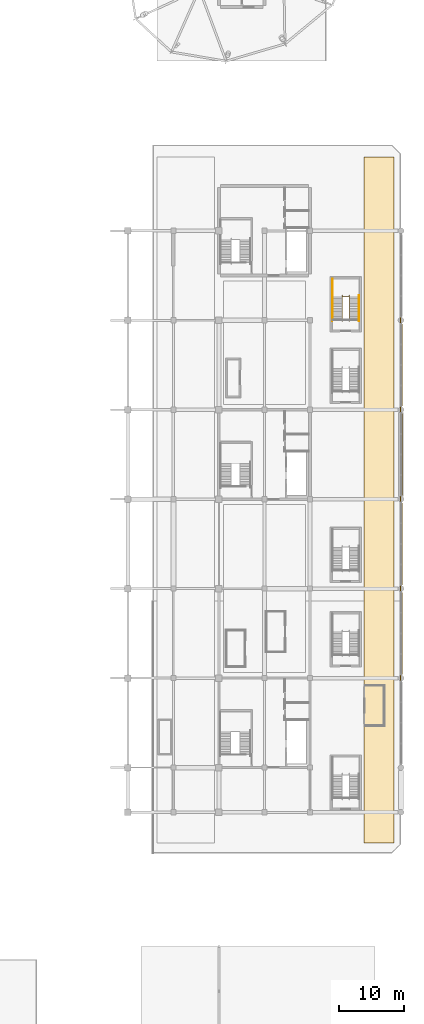
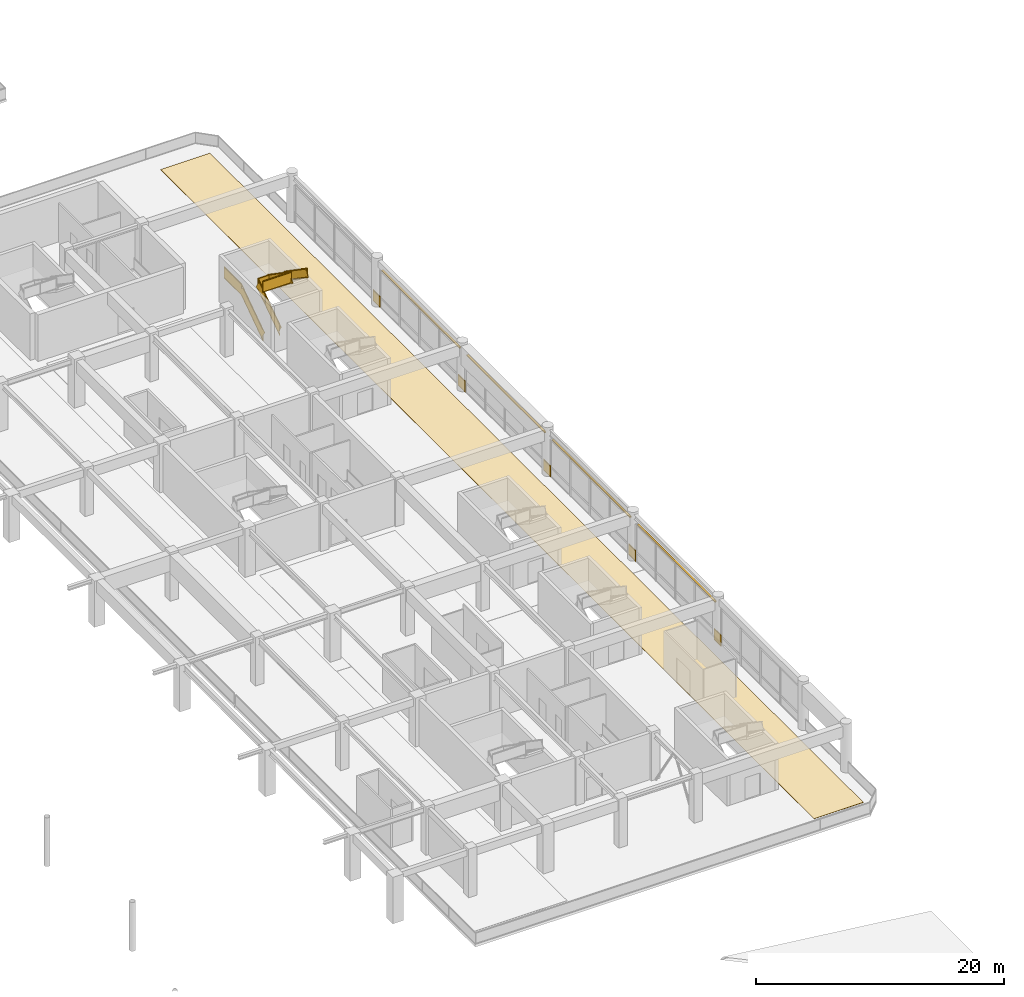
# One storey, part 86 of 91: 8 railings, 4 shading devices, 1 covering.
"""IFC4 building model written with IfcOpenShell, lengths in metres."""

from ifc_helpers import new_model, si_unit, direction, frame, origin, origin_2d, place, context, subcontext, project, spatial, polyline, rectangle, outline, extrude, material, layer, layer_set, type_object, element, save


model = new_model("IFC4")

# Units and contexts
model_context = context("Model", 3, precision=1e-05, world=origin(), true_north=direction((0.0, 1.0)))
body_context = subcontext(model_context, "Body", "Model", "MODEL_VIEW")
ifc_project = project(units=[si_unit("LENGTHUNIT", "METRE"), si_unit("AREAUNIT", "SQUARE_METRE"), si_unit("VOLUMEUNIT", "CUBIC_METRE"), si_unit("PLANEANGLEUNIT", "RADIAN"), si_unit("MASSUNIT", "GRAM", prefix="KILO")], contexts=[model_context])

# Site, building, storey
site_placement = place(None, origin())
site = spatial("IfcSite", under=ifc_project, at=site_placement, CompositionType="ELEMENT")
building_placement = place(site_placement, origin())
building = spatial("IfcBuilding", under=site, at=building_placement, Name="Linyun Crest Stadium", CompositionType="ELEMENT")
storey_placement = place(building_placement, frame((0.0, 0.0, 11.39990234375)))
storey = spatial("IfcBuildingStorey", under=building, at=storey_placement, Name="L03", CompositionType="ELEMENT", Elevation=11.39990234375)

# Covering
ifc_material_1 = material(Name="Terrazzo concourse and hospitality floor finish")
ifc_layer_1 = layer(ifc_material_1, 0.02197265625)
ifc_layer_set_1 = layer_set([ifc_layer_1], Name="Terrazzo concourse and hospitality floor finish")
covering_type = type_object("IfcCoveringType", Name="FLR02", PredefinedType="FLOORING", material=ifc_layer_set_1)
covering_placement = place(storey_placement, origin())
element("IfcCovering", 1, at=covering_placement, inside=storey, type_object=covering_type, Name="Terrazzo flooring FLR02 35", PredefinedType="FLOORING", context=body_context, shape_type="SweptSolid", body=[
    extrude(outline(polyline([(92.300048828125, -50.699951171875), (96.89990234375, -50.699951171875), (96.89990234375, 54.699951171875), (92.300048828125, 54.699951171875), (92.300048828125, -50.699951171875)])), origin(), (0.0, 0.0, 1.0), 0.022216796875),
])

# Railings
ifc_material_2 = material(Name="Galvanized and powder-coated steel bowl safety barrier", Category="steel")
railing_type_1 = type_object("IfcRailingType", Name="GR02", PredefinedType="GUARDRAIL", material=ifc_material_2)
for number, where, name in (
    (2, (97.93994140625, -24.824951171875, 0.0), "Slab edge balustrade GR02 137"),
    (3, (97.93994140625, 30.175048828125, 0.0), "Slab edge balustrade GR02 144"),
    (4, (97.93994140625, 16.425048828125, 0.0), "Slab edge balustrade GR02 145"),
    (5, (97.93994140625, 2.675048828125, 0.0), "Slab edge balustrade GR02 146"),
    (6, (97.93994140625, -11.074951171875, 0.0), "Slab edge balustrade GR02 147"),
):
    element("IfcRailing", number, at=place(storey_placement, frame(where)), inside=storey, type_object=railing_type_1, Name=name, PredefinedType="GUARDRAIL", context=body_context, shape_type="SweptSolid", body=[
        extrude(rectangle(XDim=0.06005859375, YDim=0.06005859375, at=origin_2d()), frame((0.0, 0.0, 1.090087890625), z_axis=(0.0, -1.0, 0.0), x_axis=(1.0, 0.0, 0.0)), (0.0, 0.0, 1.0), 1.10009765625),
        extrude(rectangle(XDim=0.030029296875, YDim=1.0, at=origin_2d()), frame((0.0, 0.0, 0.56005859375), z_axis=(0.0, -1.0, 0.0), x_axis=(1.0, 0.0, 0.0)), (0.0, 0.0, 1.0), 1.10009765625),
        extrude(rectangle(XDim=0.06005859375, YDim=0.06005859375, at=origin_2d()), frame((0.0, 0.0, 0.030029296875), z_axis=(0.0, -1.0, 0.0), x_axis=(1.0, 0.0, 0.0)), (0.0, 0.0, 1.0), 1.10009765625),
        extrude(rectangle(XDim=0.050048828125, YDim=0.050048828125, at=origin_2d()), origin(), (0.0, 0.0, 1.0), 1.1201171875),
        extrude(rectangle(XDim=0.050048828125, YDim=0.050048828125, at=origin_2d()), frame((0.0, -1.10009765625, 0.0)), (0.0, 0.0, 1.0), 1.1201171875),
    ])
ifc_material_3 = material(Name="Painted steel stairwell safety guard", Category="steel")
railing_type_2 = type_object("IfcRailingType", Name="GR03", PredefinedType="GUARDRAIL", material=ifc_material_3)
railing_1_placement = place(storey_placement, frame((87.429931640625, 29.719970703125, 0.0)))
element("IfcRailing", 7, at=railing_1_placement, inside=storey, type_object=railing_type_2, Name="STR-22-L03 outer guard", PredefinedType="GUARDRAIL", context=body_context, shape_type="SweptSolid", body=[
    extrude(rectangle(XDim=0.06005859375, YDim=0.06005859375, at=origin_2d()), frame((0.0, 0.0, 1.090087890625), z_axis=(0.0, 0.824712752785, 0.565551832633), x_axis=(-1.0, 0.0, 0.0)), (0.0, 0.0, 1.0), 4.243896484375),
    extrude(rectangle(XDim=0.030029296875, YDim=1.0, at=origin_2d()), frame((0.0, 0.0, 0.56005859375), z_axis=(0.0, 0.824712752785, 0.565551832633), x_axis=(-1.0, 0.0, 0.0)), (0.0, 0.0, 1.0), 4.243896484375),
    extrude(rectangle(XDim=0.06005859375, YDim=0.06005859375, at=origin_2d()), frame((0.0, 0.0, 0.030029296875), z_axis=(0.0, 0.824712752785, 0.565551832633), x_axis=(-1.0, 0.0, 0.0)), (0.0, 0.0, 1.0), 4.243896484375),
    extrude(rectangle(XDim=0.06005859375, YDim=0.06005859375, at=origin_2d()), frame((0.0, 3.5, 3.490234375), z_axis=(0.0, 1.0, 0.0), x_axis=(-1.0, 0.0, 0.0)), (0.0, 0.0, 1.0), 2.75),
    extrude(rectangle(XDim=0.030029296875, YDim=1.0, at=origin_2d()), frame((0.0, 3.5, 2.960205078125), z_axis=(0.0, 1.0, 0.0), x_axis=(-1.0, 0.0, 0.0)), (0.0, 0.0, 1.0), 2.75),
    extrude(rectangle(XDim=0.06005859375, YDim=0.06005859375, at=origin_2d()), frame((0.0, 3.5, 2.43017578125), z_axis=(0.0, 1.0, 0.0), x_axis=(-1.0, 0.0, 0.0)), (0.0, 0.0, 1.0), 2.75),
    extrude(rectangle(XDim=0.050048828125, YDim=0.050048828125, at=origin_2d()), origin(), (0.0, 0.0, 1.0), 1.1201171875),
    extrude(rectangle(XDim=0.050048828125, YDim=0.050048828125, at=origin_2d()), frame((0.0, 1.166748046875, 0.800048828125)), (0.0, 0.0, 1.0), 1.1201171875),
    extrude(rectangle(XDim=0.050048828125, YDim=0.050048828125, at=origin_2d()), frame((0.0, 2.333251953125, 1.60009765625)), (0.0, 0.0, 1.0), 1.1201171875),
    extrude(rectangle(XDim=0.050048828125, YDim=0.050048828125, at=origin_2d()), frame((0.0, 3.5, 2.400146484375)), (0.0, 0.0, 1.0), 1.1201171875),
    extrude(rectangle(XDim=0.050048828125, YDim=0.050048828125, at=origin_2d()), frame((0.0, 4.875, 2.400146484375)), (0.0, 0.0, 1.0), 1.1201171875),
    extrude(rectangle(XDim=0.050048828125, YDim=0.050048828125, at=origin_2d()), frame((0.0, 6.25, 2.400146484375)), (0.0, 0.0, 1.0), 1.1201171875),
])
railing_2_placement = place(storey_placement, frame((88.969970703125, 29.699951171875, 0.0)))
element("IfcRailing", 8, at=railing_2_placement, inside=storey, type_object=railing_type_2, Name="STR-22-L03 inner well guard", PredefinedType="GUARDRAIL", context=body_context, shape_type="SweptSolid", body=[
    extrude(rectangle(XDim=0.06005859375, YDim=0.06005859375, at=origin_2d()), frame((0.0, 0.0, 1.090087890625), z_axis=(0.0, 0.826212794201, 0.563358162005), x_axis=(-1.0, 0.0, 0.0)), (0.0, 0.0, 1.0), 4.260498046875),
    extrude(rectangle(XDim=0.030029296875, YDim=1.0, at=origin_2d()), frame((0.0, 0.0, 0.56005859375), z_axis=(0.0, 0.826212794201, 0.563358162005), x_axis=(-1.0, 0.0, 0.0)), (0.0, 0.0, 1.0), 4.260498046875),
    extrude(rectangle(XDim=0.06005859375, YDim=0.06005859375, at=origin_2d()), frame((0.0, 0.0, 0.030029296875), z_axis=(0.0, 0.826212794201, 0.563358162005), x_axis=(-1.0, 0.0, 0.0)), (0.0, 0.0, 1.0), 4.260498046875),
    extrude(rectangle(XDim=0.06005859375, YDim=0.06005859375, at=origin_2d()), frame((0.0, 3.52001953125, 3.490234375), z_axis=(1.0, 0.0, 0.0), x_axis=(0.0, 1.0, 0.0)), (0.0, 0.0, 1.0), 1.06005859375),
    extrude(rectangle(XDim=0.030029296875, YDim=1.0, at=origin_2d()), frame((0.0, 3.52001953125, 2.960205078125), z_axis=(1.0, 0.0, 0.0), x_axis=(0.0, 1.0, 0.0)), (0.0, 0.0, 1.0), 1.06005859375),
    extrude(rectangle(XDim=0.06005859375, YDim=0.06005859375, at=origin_2d()), frame((0.0, 3.52001953125, 2.43017578125), z_axis=(1.0, 0.0, 0.0), x_axis=(0.0, 1.0, 0.0)), (0.0, 0.0, 1.0), 1.06005859375),
    extrude(rectangle(XDim=0.06005859375, YDim=0.06005859375, at=origin_2d()), frame((1.06005859375, 3.52001953125, 3.490234375), z_axis=(0.0, -0.826239466617, 0.563319042644), x_axis=(1.0, 0.0, 0.0)), (0.0, 0.0, 1.0), 4.26025390625),
    extrude(rectangle(XDim=0.030029296875, YDim=1.0, at=origin_2d()), frame((1.06005859375, 3.52001953125, 2.960205078125), z_axis=(0.0, -0.826239466617, 0.563319042644), x_axis=(1.0, 0.0, 0.0)), (0.0, 0.0, 1.0), 4.26025390625),
    extrude(rectangle(XDim=0.06005859375, YDim=0.06005859375, at=origin_2d()), frame((1.06005859375, 3.52001953125, 2.43017578125), z_axis=(0.0, -0.826239466617, 0.563319042644), x_axis=(1.0, 0.0, 0.0)), (0.0, 0.0, 1.0), 4.26025390625),
    extrude(rectangle(XDim=0.06005859375, YDim=0.06005859375, at=origin_2d()), frame((1.06005859375, 0.0, 5.89013671875), z_axis=(-1.0, 0.0, 0.0), x_axis=(0.0, -1.0, 0.0)), (0.0, 0.0, 1.0), 2.610107421875),
    extrude(rectangle(XDim=0.030029296875, YDim=1.0, at=origin_2d()), frame((1.06005859375, 0.0, 5.360107421875), z_axis=(-1.0, 0.0, 0.0), x_axis=(0.0, -1.0, 0.0)), (0.0, 0.0, 1.0), 2.610107421875),
    extrude(rectangle(XDim=0.06005859375, YDim=0.06005859375, at=origin_2d()), frame((1.06005859375, 0.0, 4.830078125), z_axis=(-1.0, 0.0, 0.0), x_axis=(0.0, -1.0, 0.0)), (0.0, 0.0, 1.0), 2.610107421875),
    extrude(rectangle(XDim=0.050048828125, YDim=0.050048828125, at=origin_2d()), origin(), (0.0, 0.0, 1.0), 1.1201171875),
    extrude(rectangle(XDim=0.050048828125, YDim=0.050048828125, at=origin_2d()), frame((0.0, 1.17333984375, 0.800048828125)), (0.0, 0.0, 1.0), 1.1201171875),
    extrude(rectangle(XDim=0.050048828125, YDim=0.050048828125, at=origin_2d()), frame((0.0, 2.3466796875, 1.60009765625)), (0.0, 0.0, 1.0), 1.1201171875),
    extrude(rectangle(XDim=0.050048828125, YDim=0.050048828125, at=origin_2d()), frame((0.0, 3.52001953125, 2.400146484375)), (0.0, 0.0, 1.0), 1.1201171875),
    extrude(rectangle(XDim=0.050048828125, YDim=0.050048828125, at=origin_2d()), frame((1.06005859375, 3.52001953125, 2.400146484375)), (0.0, 0.0, 1.0), 1.1201171875),
    extrude(rectangle(XDim=0.050048828125, YDim=0.050048828125, at=origin_2d()), frame((1.06005859375, 2.3466796875, 3.2001953125)), (0.0, 0.0, 1.0), 1.1201171875),
    extrude(rectangle(XDim=0.050048828125, YDim=0.050048828125, at=origin_2d()), frame((1.06005859375, 1.17333984375, 4.0)), (0.0, 0.0, 1.0), 1.1201171875),
    extrude(rectangle(XDim=0.050048828125, YDim=0.050048828125, at=origin_2d()), frame((1.06005859375, 0.0, 4.800048828125)), (0.0, 0.0, 1.0), 1.1201171875),
    extrude(rectangle(XDim=0.050048828125, YDim=0.050048828125, at=origin_2d()), frame((-0.2451171875, 0.0, 4.800048828125)), (0.0, 0.0, 1.0), 1.1201171875),
    extrude(rectangle(XDim=0.050048828125, YDim=0.050048828125, at=origin_2d()), frame((-1.550048828125, 0.0, 4.800048828125)), (0.0, 0.0, 1.0), 1.1201171875),
])
ifc_material_4 = material(Name="Brushed stainless steel tubular handrail", Category="steel")
railing_type_3 = type_object("IfcRailingType", Name="HR01", PredefinedType="HANDRAIL", material=ifc_material_4)
railing_3_placement = place(storey_placement, frame((91.52001953125, 33.219970703125, 2.400146484375)))
element("IfcRailing", 9, at=railing_3_placement, inside=storey, type_object=railing_type_3, Name="STR-22-L03 handrail", PredefinedType="HANDRAIL", context=body_context, shape_type="SweptSolid", body=[
    extrude(rectangle(XDim=0.06005859375, YDim=0.06005859375, at=origin_2d()), frame((0.0, 0.0, 0.889892578125), z_axis=(0.0, -0.824739584531, 0.5655127034), x_axis=(1.0, 0.0, 0.0)), (0.0, 0.0, 1.0), 4.24365234375),
    extrude(rectangle(XDim=0.030029296875, YDim=0.7998046875, at=origin_2d()), frame((0.0, 0.0, 0.4599609375), z_axis=(0.0, -0.824739584531, 0.5655127034), x_axis=(1.0, 0.0, 0.0)), (0.0, 0.0, 1.0), 4.24365234375),
    extrude(rectangle(XDim=0.06005859375, YDim=0.06005859375, at=origin_2d()), frame((0.0, 0.0, 0.030029296875), z_axis=(0.0, -0.824739584531, 0.5655127034), x_axis=(1.0, 0.0, 0.0)), (0.0, 0.0, 1.0), 4.24365234375),
    extrude(rectangle(XDim=0.050048828125, YDim=0.050048828125, at=origin_2d()), origin(), (0.0, 0.0, 1.0), 0.919921875),
    extrude(rectangle(XDim=0.050048828125, YDim=0.050048828125, at=origin_2d()), frame((0.0, -1.75, 1.199951171875)), (0.0, 0.0, 1.0), 0.919921875),
    extrude(rectangle(XDim=0.050048828125, YDim=0.050048828125, at=origin_2d()), frame((0.0, -3.5, 2.39990234375)), (0.0, 0.0, 1.0), 0.919921875),
])

# Shading devices
ifc_material_5 = material(Name="Glazed ceramic faience brise-soleil screen")
ifc_layer_2 = layer(ifc_material_5, 0.10009765625)
ifc_layer_set_2 = layer_set([ifc_layer_2], Name="Glazed ceramic faience brise-soleil screen")
shading_device_type = type_object("IfcShadingDeviceType", Name="SD02", PredefinedType="SHUTTER", material=ifc_layer_set_2)
for number, where, z_axis, x_axis, name in (
    (10, (98.1201171875, -18.5, 3.56005859375), (0.0, 0.0, 1.0), (1.0, 0.0, 0.0), "Veranda monsoon louvre SD02 244"),
    (11, (98.1201171875, -4.75, 3.56005859375), (0.0, 0.0, 1.0), (1.0, 0.0, 0.0), "Veranda monsoon louvre SD02 248"),
    (12, (98.1201171875, 9.0, 3.56005859375), (0.0, 0.0, 1.0), (1.0, 0.0, 0.0), "Veranda monsoon louvre SD02 252"),
    (13, (98.1201171875, 22.75, 3.56005859375), (0.0, 0.0, 1.0), (1.0, 0.0, 0.0), "Veranda monsoon louvre SD02 256"),
):
    element("IfcShadingDevice", number, at=place(storey_placement, frame(where, z_axis=z_axis, x_axis=x_axis)), inside=storey, type_object=shading_device_type, Name=name, PredefinedType="SHUTTER", context=body_context, shape_type="SweptSolid", body=[
        extrude(rectangle(XDim=0.159912109375, YDim=12.550048828125, at=origin_2d()), origin(), (0.0, 0.0, 1.0), 0.1201171875),
    ])

save(model, "model.ifc")
